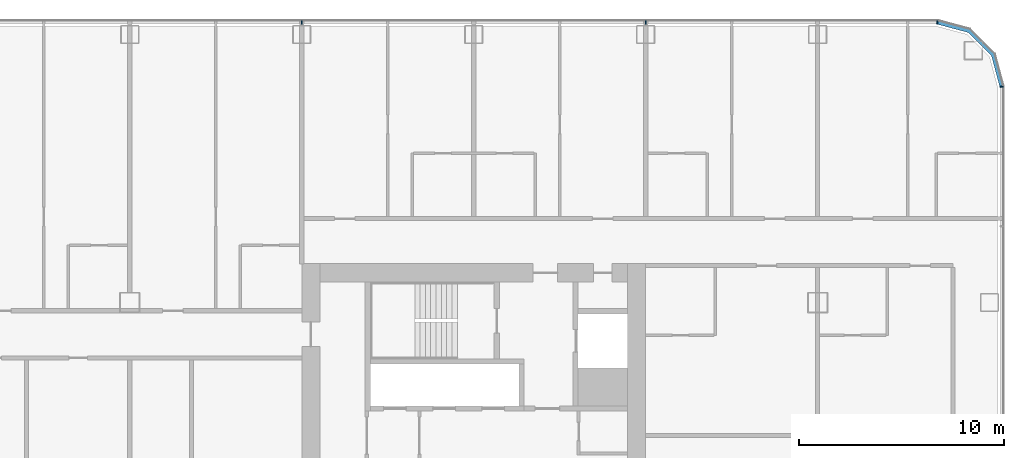
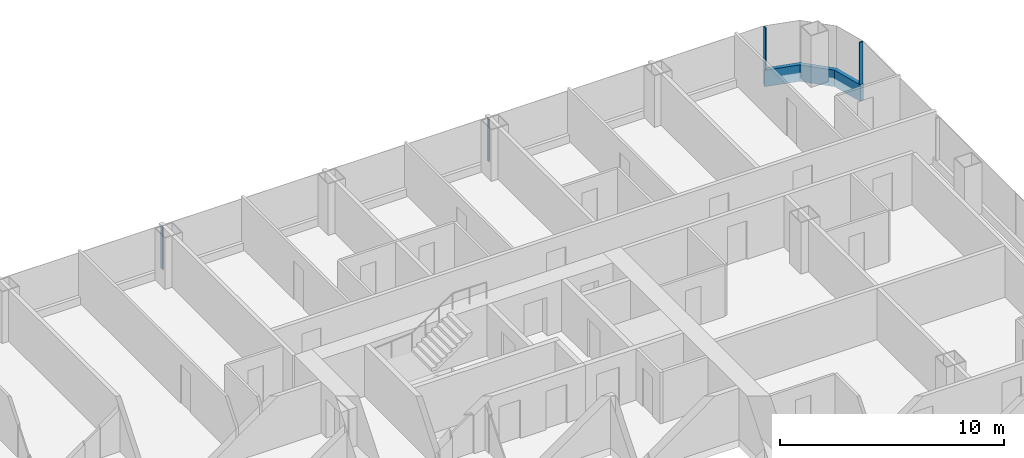
# One storey, part 11 of 28: 5 members, 3 elements without a shape of their own.
"""IFC4 building model written with IfcOpenShell, lengths in metres."""

from ifc_helpers import new_model, si_unit, direction, frame, origin, origin_2d, place, context, subcontext, project, spatial, polyline, rectangle, outline, extrude, material, layer, layer_set, material_profile, profile_set, type_object, element, aggregate, save


model = new_model("IFC4")

# Units and contexts
model_context = context("Model", 3, precision=1e-05, world=origin(), true_north=direction((0.0, 1.0)))
body_context = subcontext(model_context, "Body", "Model", "MODEL_VIEW")
ifc_project = project(units=[si_unit("LENGTHUNIT", "METRE"), si_unit("AREAUNIT", "SQUARE_METRE"), si_unit("VOLUMEUNIT", "CUBIC_METRE"), si_unit("PLANEANGLEUNIT", "RADIAN"), si_unit("MASSUNIT", "GRAM", prefix="KILO")], contexts=[model_context])

# Site, building, storey
site_placement = place(None, origin())
site = spatial("IfcSite", under=ifc_project, at=site_placement, CompositionType="ELEMENT")
building_placement = place(site_placement, origin())
building = spatial("IfcBuilding", under=site, at=building_placement, Name="Hakoniwa Tower and Hamabe Station Hall", CompositionType="ELEMENT")
storey_placement = place(building_placement, frame((0.0, 0.0, 48.60009765625)))
storey = spatial("IfcBuildingStorey", under=building, at=storey_placement, Name="L13", CompositionType="ELEMENT", Elevation=48.60009765625)

# Curtain wall, member
ifc_material_1 = material(Name="Dark low-e laminated glass", Category="glass")
ifc_layer = layer(ifc_material_1, 0.199951171875)
ifc_layer_set = layer_set([ifc_layer], Name="CW-1 UNITISED GUEST")
curtain_wall_type = type_object("IfcCurtainWallType", Name="CW-1 UNITISED GUEST", PredefinedType="NOTDEFINED", material=ifc_layer_set)
curtain_wall_1_placement = place(storey_placement, origin())
curtain_wall_1 = element("IfcCurtainWall", 1, at=curtain_wall_1_placement, inside=storey, type_object=curtain_wall_type, Name="CW-1 curtain wall", PredefinedType="NOTDEFINED")
ifc_material_2 = material(Name="Aluminium 6063-T5 black anodised", Category="aluminium")
ifc_material_profile_1 = material_profile(ifc_material_2, rectangle(XDim=0.199951171875, YDim=0.89990234375, at=origin_2d()), Name="CW SLAB-EDGE BAND 900X200")
ifc_profile_set_1 = profile_set([ifc_material_profile_1], Name="Aluminium 6063-T5 black anodised")
member_type_1 = type_object("IfcMemberType", Name="CW SLAB-EDGE BAND 900X200", PredefinedType="USERDEFINED", material=ifc_profile_set_1)
member_1_placement = place(storey_placement, frame((0.0, 0.0, -0.550048828125)))
member_1 = element("IfcMember", 2, at=member_1_placement, type_object=member_type_1, Name="CW-1 transom", ObjectType="TRANSOM", PredefinedType="USERDEFINED", context=body_context, shape_type="SweptSolid", body=[
    extrude(outline(polyline([(51.10009765625, 17.03955078125), (50.6669921875, 18.6552734375), (49.455322265625, 19.866943359375), (47.839599609375, 20.300048828125), (47.787841796875, 20.10693359375), (49.351806640625, 19.687744140625), (50.48779296875, 18.5517578125), (50.90673828125, 16.98779296875), (51.10009765625, 17.03955078125)])), origin(), (0.0, 0.0, 1.0), 0.89990234375),
])
aggregate(curtain_wall_1, [member_1])

curtain_wall_2_placement = place(storey_placement, origin())
curtain_wall_2 = element("IfcCurtainWall", 3, at=curtain_wall_2_placement, inside=storey, type_object=curtain_wall_type, Name="CW-1 curtain wall", PredefinedType="NOTDEFINED")
ifc_material_3 = material(Name="Aluminium 6063-T5 black anodised", Category="aluminium")
ifc_material_profile_2 = material_profile(ifc_material_3, rectangle(XDim=0.06005859375, YDim=0.179931640625, at=origin_2d()), Name="CW-1 MULLION 60X180")
ifc_profile_set_2 = profile_set([ifc_material_profile_2], Name="Aluminium 6063-T5 black anodised")
member_type_2 = type_object("IfcMemberType", Name="CW-1 MULLION 60X180", PredefinedType="MULLION", material=ifc_profile_set_2)
member_2_placement = place(storey_placement, frame((50.98193359375, 17.03955078125, 0.349853515625), z_axis=(0.0, 0.0, 1.0), x_axis=(0.0, 1.0, 0.0)))
member_2 = element("IfcMember", 4, at=member_2_placement, type_object=member_type_2, Name="CW-1 mullion", PredefinedType="MULLION", context=body_context, shape_type="SweptSolid", body=[
    extrude(rectangle(XDim=0.06005859375, YDim=0.179931640625, at=origin_2d()), origin(), (0.0, 0.0, 1.0), 2.300048828125),
])
aggregate(curtain_wall_2, [member_2])

# Curtain wall, members
curtain_wall_3_placement = place(storey_placement, origin())
curtain_wall_3 = element("IfcCurtainWall", 5, at=curtain_wall_3_placement, inside=storey, type_object=curtain_wall_type, Name="CW-1 curtain wall", PredefinedType="NOTDEFINED")
member_3_placement = place(storey_placement, frame((47.839599609375, 20.181884765625, 0.349853515625), z_axis=(0.0, 0.0, 1.0), x_axis=(-1.0, 0.0, 0.0)))
member_3 = element("IfcMember", 6, at=member_3_placement, type_object=member_type_2, Name="CW-1 mullion", PredefinedType="MULLION", context=body_context, shape_type="SweptSolid", body=[
    extrude(rectangle(XDim=0.06005859375, YDim=0.179931640625, at=origin_2d()), origin(), (0.0, 0.0, 1.0), 2.300048828125),
])
member_4_placement = place(storey_placement, frame((33.60009765625, 20.181884765625, 0.349853515625), z_axis=(0.0, 0.0, 1.0), x_axis=(-1.0, 0.0, 0.0)))
member_4 = element("IfcMember", 7, at=member_4_placement, type_object=member_type_2, Name="CW-1 mullion", PredefinedType="MULLION", context=body_context, shape_type="SweptSolid", body=[
    extrude(rectangle(XDim=0.06005859375, YDim=0.179931640625, at=origin_2d()), origin(), (0.0, 0.0, 1.0), 2.300048828125),
])
member_5_placement = place(storey_placement, frame((16.800048828125, 20.181884765625, 0.349853515625), z_axis=(0.0, 0.0, 1.0), x_axis=(-1.0, 0.0, 0.0)))
member_5 = element("IfcMember", 8, at=member_5_placement, type_object=member_type_2, Name="CW-1 mullion", PredefinedType="MULLION", context=body_context, shape_type="SweptSolid", body=[
    extrude(rectangle(XDim=0.06005859375, YDim=0.179931640625, at=origin_2d()), origin(), (0.0, 0.0, 1.0), 2.300048828125),
])
aggregate(curtain_wall_3, [member_3, member_4, member_5])

save(model, "model.ifc")
